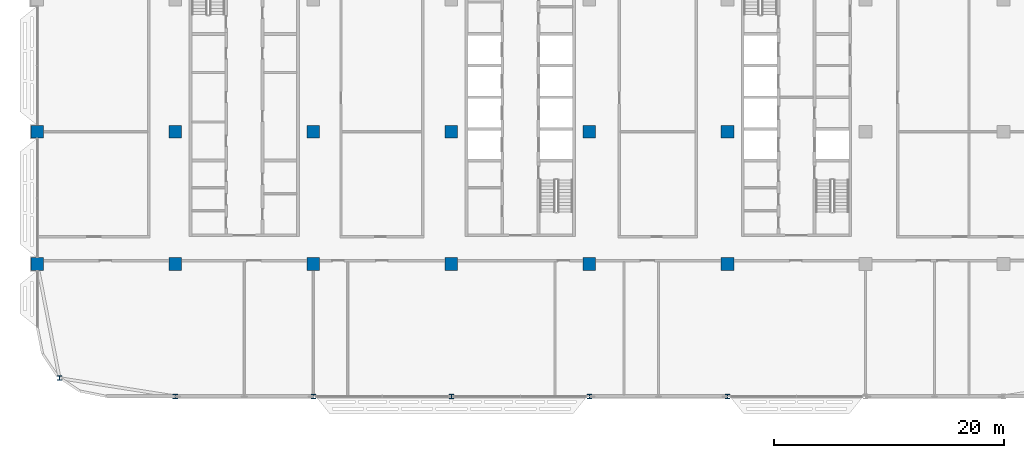
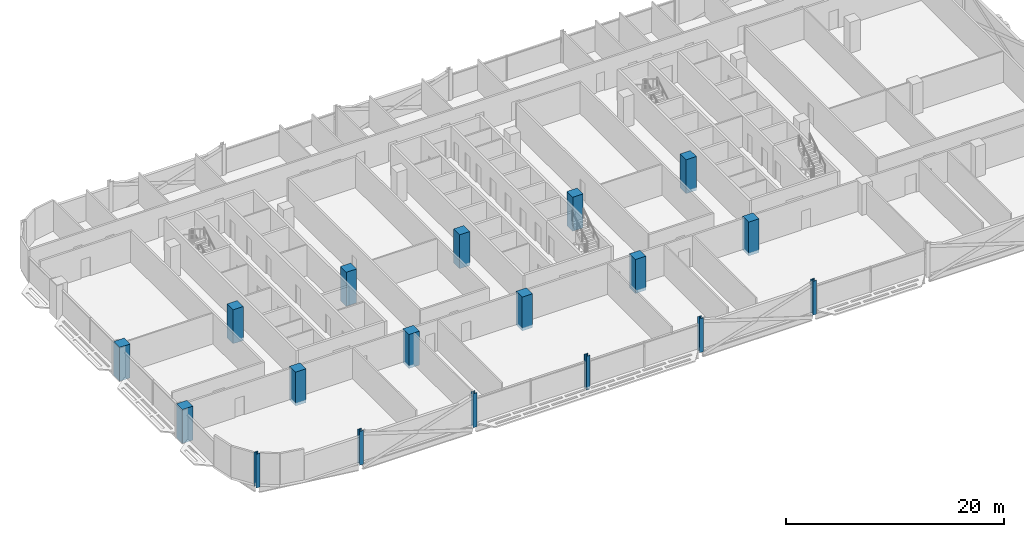
# One storey, part 1 of 30: 18 columns.
"""IFC4 building model written with IfcOpenShell, lengths in metres."""

import ifcopenshell
import ifcopenshell.guid

model = None  # the IFC model being written
_history = None  # IfcOwnerHistory: only IFC2X3 demands one
_inside = {}  # id of a spatial element -> (the spatial element, [elements in it])
_under = {}  # id of a project, library or spatial element -> (it, [spatial elements below it])
_declared = {}  # id of a project -> (the project, [libraries it declares])
_typed = {}  # id of a type object -> (the type object, [elements of that type])
_made_of = {}  # id of a material, layer set ... -> (it, [elements and type objects made of it])


def new_model(schema):
    """Start an empty IFC model of exactly this schema.

    Asked for "IFC4X3", IfcOpenShell would pick the latest addendum, in which some entities
    have other attributes; the version numbers below select the first issue.
    IFC2X3 requires an IfcOwnerHistory on every rooted entity: one is made here for all.
    """
    global model, _history
    if schema == "IFC4X3":
        model = ifcopenshell.file(schema_version=(4, 3, 0, 0))
    else:
        model = ifcopenshell.file(schema=schema)
    _inside.clear()
    _under.clear()
    _declared.clear()
    _typed.clear()
    _made_of.clear()
    _history = None
    if model.schema == "IFC2X3":
        org = make("IfcOrganization", Name="unknown")
        user = make(
            "IfcPersonAndOrganization",
            ThePerson=make("IfcPerson", FamilyName="unknown"),
            TheOrganization=org,
        )
        app = make(
            "IfcApplication",
            ApplicationDeveloper=org,
            Version="unknown",
            ApplicationFullName="unknown",
            ApplicationIdentifier="unknown",
        )
        _history = make(
            "IfcOwnerHistory",
            OwningUser=user,
            OwningApplication=app,
            ChangeAction="ADDED",
            CreationDate=0,
        )
    return model


def make(cls, **values):
    """One entity of the class cls with the attributes given. An attribute that is None is left unset."""
    return model.create_entity(
        cls, **{name: value for name, value in values.items() if value is not None}
    )


def rooted(cls, **values):
    """An entity with a GlobalId (a new one), such as an element, a storey or a relation."""
    return make(cls, GlobalId=ifcopenshell.guid.new(), OwnerHistory=_history, **values)


def si_unit(unit_type, name, prefix=None):
    """IfcSIUnit, for example si_unit("LENGTHUNIT", "METRE", prefix="MILLI")."""
    return make("IfcSIUnit", UnitType=unit_type, Prefix=prefix, Name=name)


def assignment(units):
    """IfcUnitAssignment: the units of a project."""
    return None if units is None else make("IfcUnitAssignment", Units=units)


def point(xyz):
    """IfcCartesianPoint."""
    return None if xyz is None else make("IfcCartesianPoint", Coordinates=xyz)


def direction(xyz):
    """IfcDirection."""
    return None if xyz is None else make("IfcDirection", DirectionRatios=xyz)


def frame(location, z_axis=None, x_axis=None):
    """IfcAxis2Placement3D, a coordinate frame: its origin and axes. An axis left out is left unset."""
    return make(
        "IfcAxis2Placement3D",
        Location=point(location),
        Axis=direction(z_axis),
        RefDirection=direction(x_axis),
    )


def frame_2d(location, x_axis=None):
    """IfcAxis2Placement2D, a coordinate frame in the plane: its origin and x axis."""
    return make(
        "IfcAxis2Placement2D", Location=point(location), RefDirection=direction(x_axis)
    )


def origin():
    """The frame at (0, 0, 0) with its axes left unset."""
    return frame((0.0, 0.0, 0.0))


def origin_2d():
    """The frame at (0, 0) in the plane with its x axis left unset."""
    return frame_2d((0.0, 0.0))


def place(relative_to, where):
    """IfcLocalPlacement: puts the frame where relative to a parent placement (None: the world)."""
    return make(
        "IfcLocalPlacement", PlacementRelTo=relative_to, RelativePlacement=where
    )


def context(
    kind, dimensions, precision=None, world=None, true_north=None, identifier=None
):
    """IfcGeometricRepresentationContext, for example the 3D "Model" context."""
    return make(
        "IfcGeometricRepresentationContext",
        ContextIdentifier=identifier,
        ContextType=kind,
        CoordinateSpaceDimension=dimensions,
        Precision=precision,
        WorldCoordinateSystem=world,
        TrueNorth=true_north,
    )


def subcontext(parent, identifier, kind, view, scale=None):
    """IfcGeometricRepresentationSubContext, for example "Body" below "Model"."""
    return make(
        "IfcGeometricRepresentationSubContext",
        ContextIdentifier=identifier,
        ContextType=kind,
        ParentContext=parent,
        TargetScale=scale,
        TargetView=view,
    )


def project(units=None, contexts=None):
    """IfcProject with its units and contexts."""
    return rooted(
        "IfcProject",
        Name="project",
        RepresentationContexts=contexts,
        UnitsInContext=assignment(units),
    )


def spatial(cls, under=None, at=None, **own):
    """A site, building, storey or space (cls), placed at a placement, below another one or the project."""
    s = rooted(cls, ObjectPlacement=at, **own)
    if under is not None:
        _under.setdefault(under.id(), (under, []))[1].append(s)
    return s


def profile(cls, at=None, kind="AREA", **sizes):
    """A parametric profile (cls). Its sizes go by their IFC names, for example OverallWidth=200.0."""
    return make(cls, ProfileType=kind, Position=at, **sizes)


def rectangle(**sizes):
    """IfcRectangleProfileDef."""
    return profile("IfcRectangleProfileDef", **sizes)


def i_section(**sizes):
    """IfcIShapeProfileDef."""
    return profile("IfcIShapeProfileDef", **sizes)


def extrude(swept, where, along, depth):
    """IfcExtrudedAreaSolid: the profile swept, set in the frame where, extruded along a direction by depth."""
    return make(
        "IfcExtrudedAreaSolid",
        SweptArea=swept,
        Position=where,
        ExtrudedDirection=direction(along),
        Depth=depth,
    )


def shape(context_of_items, identifier, shape_type, items):
    """IfcShapeRepresentation: the items that make up one representation, for example the "Body"."""
    return make(
        "IfcShapeRepresentation",
        ContextOfItems=context_of_items,
        RepresentationIdentifier=identifier,
        RepresentationType=shape_type,
        Items=items,
    )


def material(Name=None, Category=None):
    """IfcMaterial."""
    return make("IfcMaterial", Name=Name, Category=Category)


def material_profile(
    of_material, cross_section, Name=None, Category=None, Priority=None
):
    """IfcMaterialProfile: a cross section and its material."""
    return make(
        "IfcMaterialProfile",
        Name=Name,
        Material=of_material,
        Profile=cross_section,
        Priority=Priority,
        Category=Category,
    )


def profile_set(profiles, Name=None, composite=None):
    """IfcMaterialProfileSet."""
    return make(
        "IfcMaterialProfileSet",
        Name=Name,
        MaterialProfiles=profiles,
        CompositeProfile=composite,
    )


def made_of(thing, what):
    """Note that an element or type object is made of a material, layer set ...; save() writes the relation."""
    if what is not None:
        _made_of.setdefault(what.id(), (what, []))[1].append(thing)
    return thing


def type_object(cls, material=None, **own):
    """A type object (cls), such as IfcWallType, which elements share."""
    return made_of(rooted(cls, **own), material)


def element(
    cls,
    number,
    at=None,
    inside=None,
    cuts=None,
    type_object=None,
    material=None,
    context=None,
    identifier="Body",
    shape_type=None,
    held_by="IfcProductDefinitionShape",
    body=None,
    shapes=None,
    **own,
):
    """One element of the class cls, such as IfcWall. Its Tag is "e" and its number.

    at: its placement. inside: the storey or other place that contains it. cuts: it is an
    opening in that element (IfcRelVoidsElement). A single representation is given by context,
    identifier, shape_type and body (its items); several are given by shapes. held_by: the class
    of the entity that holds the representations. save() writes the other relations.
    """
    e = rooted(cls, Tag="e%d" % number, ObjectPlacement=at, **own)
    if body is not None:
        shapes = [shape(context, identifier, shape_type, body)]
    if shapes is not None:
        e.Representation = make(held_by, Representations=shapes)
    if inside is not None:
        _inside.setdefault(inside.id(), (inside, []))[1].append(e)
    if cuts is not None:
        rooted(
            "IfcRelVoidsElement", RelatingBuildingElement=cuts, RelatedOpeningElement=e
        )
    if type_object is not None:
        _typed.setdefault(type_object.id(), (type_object, []))[1].append(e)
    return made_of(e, material)


def aggregate(whole, parts):
    """IfcRelAggregates: a whole, such as a stair, and the parts it consists of."""
    return rooted("IfcRelAggregates", RelatingObject=whole, RelatedObjects=parts)


def save(model, path):
    """Write the relations noted so far, then the file.

    IfcRelAggregates (storeys below a building ...), IfcRelContainedInSpatialStructure (elements
    in a storey), IfcRelDefinesByType, IfcRelAssociatesMaterial and IfcRelDeclares: one each for
    every whole, place, type object, material and project.
    """
    for whole, parts in _under.values():
        aggregate(whole, parts)
    for where, things in _inside.values():
        rooted(
            "IfcRelContainedInSpatialStructure",
            RelatedElements=things,
            RelatingStructure=where,
        )
    for kind, things in _typed.values():
        rooted("IfcRelDefinesByType", RelatedObjects=things, RelatingType=kind)
    for what, things in _made_of.values():
        rooted("IfcRelAssociatesMaterial", RelatedObjects=things, RelatingMaterial=what)
    for by, libraries in _declared.values():
        rooted("IfcRelDeclares", RelatingContext=by, RelatedDefinitions=libraries)
    model.write(path)


model = new_model("IFC4")

# Units and contexts
model_context = context("Model", 3, precision=1e-05, world=origin(), true_north=direction((0.0, 1.0)))
body_context = subcontext(model_context, "Body", "Model", "MODEL_VIEW")
ifc_project = project(units=[si_unit("LENGTHUNIT", "METRE"), si_unit("AREAUNIT", "SQUARE_METRE"), si_unit("VOLUMEUNIT", "CUBIC_METRE"), si_unit("PLANEANGLEUNIT", "RADIAN"), si_unit("MASSUNIT", "GRAM", prefix="KILO")], contexts=[model_context])

# Site, building, storey
site_placement = place(None, origin())
site = spatial("IfcSite", under=ifc_project, at=site_placement, CompositionType="ELEMENT")
building_placement = place(site_placement, origin())
building = spatial("IfcBuilding", under=site, at=building_placement, Name="Mahtab Terrace Research Tower", CompositionType="ELEMENT")
storey_placement = place(building_placement, frame((0.0, 0.0, 216.699951171875)))
storey = spatial("IfcBuildingStorey", under=building, at=storey_placement, Name="L52", CompositionType="ELEMENT", Elevation=216.699951171875)

# Columns
ifc_material_1 = material(Name="Concrete C70/85", Category="concrete")
ifc_material_profile_1 = material_profile(ifc_material_1, rectangle(XDim=1.10009765625, YDim=1.10009765625, at=origin_2d()), Name="RC column 1100x1100")
ifc_profile_set_1 = profile_set([ifc_material_profile_1], Name="Concrete C70/85")
column_type_1 = type_object("IfcColumnType", Name="RC column 1100x1100", PredefinedType="COLUMN", material=ifc_profile_set_1)
for number, where, z_axis, x_axis, name in (
    (1, (-42.0, -11.5, -0.33984375), (0.0, 0.0, 1.0), (1.0, 0.0, 0.0), "Column RC-1A L52"),
    (2, (-42.0, 0.0, -0.33984375), (0.0, 0.0, 1.0), (1.0, 0.0, 0.0), "Column RC-1B L52"),
    (3, (-30.0, -11.5, -0.33984375), (0.0, 0.0, 1.0), (1.0, 0.0, 0.0), "Column RC-2A L52"),
    (4, (-30.0, 0.0, -0.33984375), (0.0, 0.0, 1.0), (1.0, 0.0, 0.0), "Column RC-2B L52"),
    (5, (-18.0, -11.5, -0.33984375), (0.0, 0.0, 1.0), (1.0, 0.0, 0.0), "Column RC-3A L52"),
    (6, (-18.0, 0.0, -0.33984375), (0.0, 0.0, 1.0), (1.0, 0.0, 0.0), "Column RC-3B L52"),
    (7, (-6.0, -11.5, -0.33984375), (0.0, 0.0, 1.0), (1.0, 0.0, 0.0), "Column RC-4A L52"),
    (8, (-6.0, 0.0, -0.33984375), (0.0, 0.0, 1.0), (1.0, 0.0, 0.0), "Column RC-4B L52"),
    (9, (6.0, -11.5, -0.33984375), (0.0, 0.0, 1.0), (1.0, 0.0, 0.0), "Column RC-5A L52"),
    (10, (6.0, 0.0, -0.33984375), (0.0, 0.0, 1.0), (1.0, 0.0, 0.0), "Column RC-5B L52"),
    (11, (18.0, -11.5, -0.33984375), (0.0, 0.0, 1.0), (1.0, 0.0, 0.0), "Column RC-6A L52"),
    (12, (18.0, 0.0, -0.33984375), (0.0, 0.0, 1.0), (1.0, 0.0, 0.0), "Column RC-6B L52"),
):
    element("IfcColumn", number, at=place(storey_placement, frame(where, z_axis=z_axis, x_axis=x_axis)), inside=storey, type_object=column_type_1, Name=name, PredefinedType="COLUMN", context=body_context, shape_type="SweptSolid", body=[
        extrude(rectangle(XDim=1.10009765625, YDim=1.10009765625, at=origin_2d()), origin(), (0.0, 0.0, 1.0), 3.7998046875),
    ])
ifc_material_2 = material(Name="Steel ASTM A992 Gr 50", Category="steel")
ifc_material_profile_2 = material_profile(ifc_material_2, i_section(OverallWidth=0.4013671875, OverallDepth=0.398681640625, WebThickness=0.02490234375, FlangeThickness=0.03955078125, at=origin_2d()), Name="W14X211")
ifc_profile_set_2 = profile_set([ifc_material_profile_2], Name="Steel ASTM A992 Gr 50")
column_type_2 = type_object("IfcColumnType", Name="W14x211 column CS14211", PredefinedType="COLUMN", material=ifc_profile_set_2)
for number, where, z_axis, x_axis, name in (
    (13, (-40.06201171875, -21.416015625, -0.33984375), (0.0, 0.0, 1.0), (1.0, 0.0, 0.0), "Column SC-025 L52"),
    (14, (-30.0, -23.0, -0.33984375), (0.0, 0.0, 1.0), (1.0, 0.0, 0.0), "Column SC-013 L52"),
    (15, (-18.0, -23.0, -0.33984375), (0.0, 0.0, 1.0), (1.0, 0.0, 0.0), "Column SC-014 L52"),
    (16, (-6.0, -23.0, -0.33984375), (0.0, 0.0, 1.0), (1.0, 0.0, 0.0), "Column SC-015 L52"),
    (17, (6.0, -23.0, -0.33984375), (0.0, 0.0, 1.0), (1.0, 0.0, 0.0), "Column SC-016 L52"),
    (18, (18.0, -23.0, -0.33984375), (0.0, 0.0, 1.0), (1.0, 0.0, 0.0), "Column SC-017 L52"),
):
    element("IfcColumn", number, at=place(storey_placement, frame(where, z_axis=z_axis, x_axis=x_axis)), inside=storey, type_object=column_type_2, Name=name, PredefinedType="COLUMN", context=body_context, shape_type="SweptSolid", body=[
        extrude(i_section(OverallWidth=0.4013671875, OverallDepth=0.398681640625, WebThickness=0.02490234375, FlangeThickness=0.03955078125, at=origin_2d()), origin(), (0.0, 0.0, 1.0), 3.7998046875),
    ])

save(model, "model.ifc")
